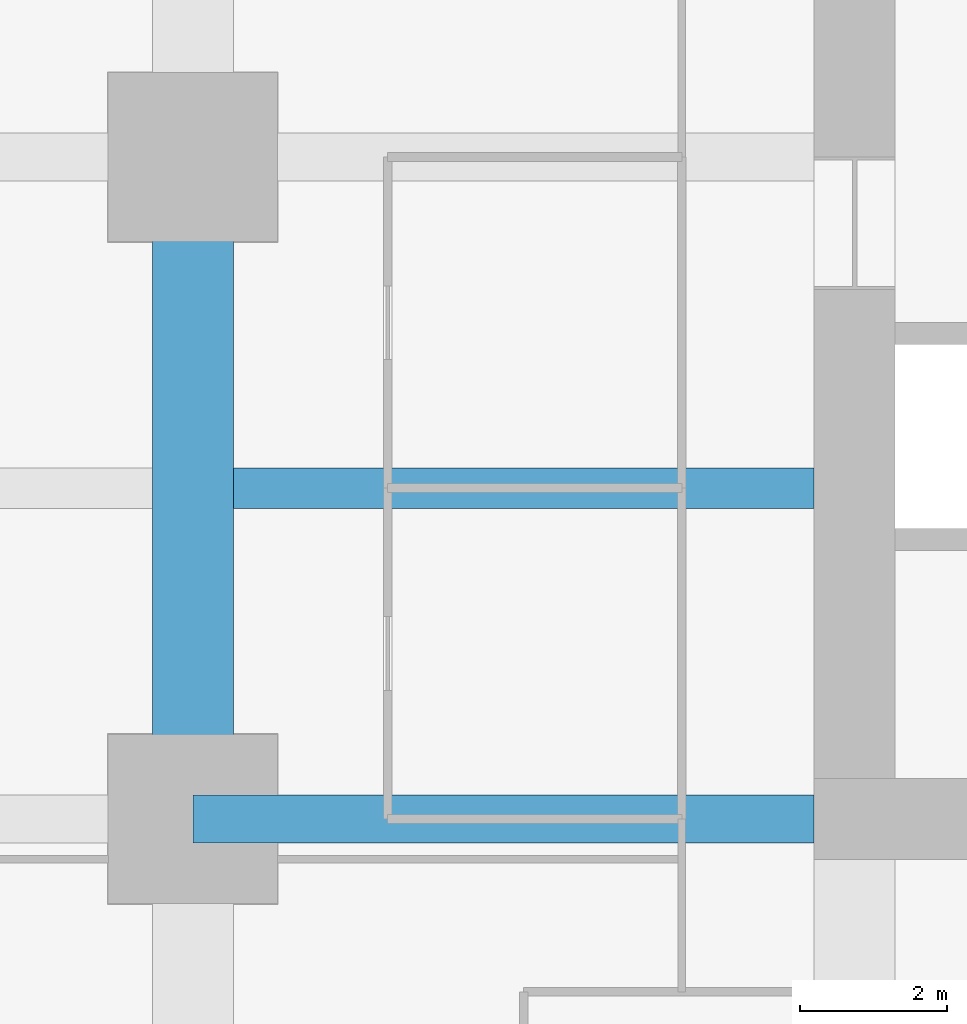
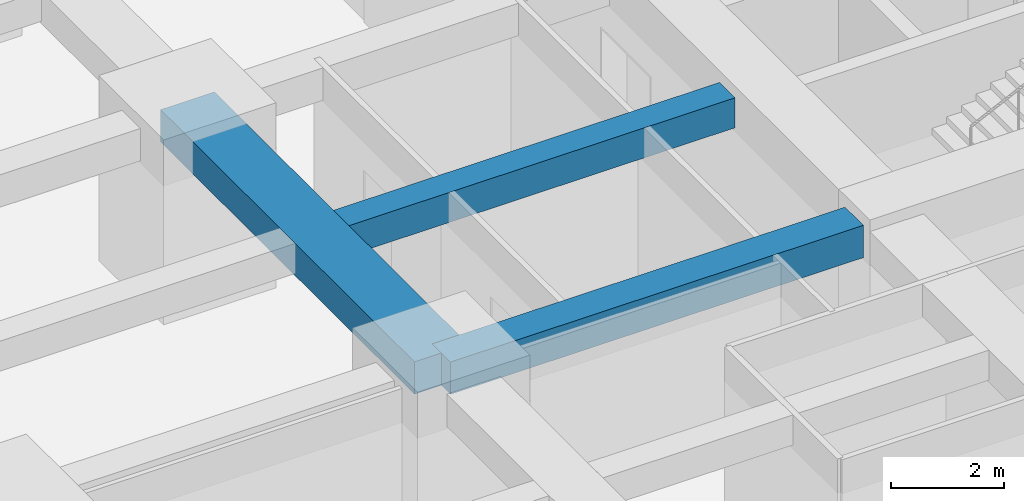
# One storey, part 10 of 45: 3 beams.
"""IFC4 building model written with IfcOpenShell, lengths in metres."""

from ifc_helpers import new_model, si_unit, direction, frame, origin, origin_2d, place, context, subcontext, project, spatial, rectangle, extrude, material, material_profile, profile_set, type_object, element, save


model = new_model("IFC4")

# Units and contexts
model_context = context("Model", 3, precision=1e-05, world=origin(), true_north=direction((0.0, 1.0)))
body_context = subcontext(model_context, "Body", "Model", "MODEL_VIEW")
ifc_project = project(units=[si_unit("LENGTHUNIT", "METRE"), si_unit("AREAUNIT", "SQUARE_METRE"), si_unit("VOLUMEUNIT", "CUBIC_METRE"), si_unit("PLANEANGLEUNIT", "RADIAN"), si_unit("MASSUNIT", "GRAM", prefix="KILO")], contexts=[model_context])

# Site, building, storey
site_placement = place(None, origin())
site = spatial("IfcSite", under=ifc_project, at=site_placement, CompositionType="ELEMENT")
building_placement = place(site_placement, origin())
building = spatial("IfcBuilding", under=site, at=building_placement, Name="Zorevar Civic Tower", CompositionType="ELEMENT")
storey_placement = place(building_placement, frame((0.0, 0.0, 23.800048828125)))
storey = spatial("IfcBuildingStorey", under=building, at=storey_placement, Name="L05", CompositionType="ELEMENT", Elevation=23.800048828125)

# Beams
ifc_material_1 = material(Name="Concrete C50/60", Category="concrete")
ifc_material_profile_1 = material_profile(ifc_material_1, rectangle(XDim=1.10009765625, YDim=0.699951171875, at=origin_2d()), Name="RC 1100x700")
ifc_profile_set_1 = profile_set([ifc_material_profile_1], Name="Concrete C50/60")
beam_type_1 = type_object("IfcBeamType", Name="Beam RC 1100x700", PredefinedType="BEAM", material=ifc_profile_set_1)
beam_1_placement = place(storey_placement, frame((9.0, 18.0, 3.39990234375), z_axis=(0.0, 1.0, 0.0), x_axis=(-1.0, 0.0, 0.0)))
element("IfcBeam", 1, at=beam_1_placement, inside=storey, type_object=beam_type_1, Name="Girder L06", PredefinedType="BEAM", context=body_context, shape_type="SweptSolid", body=[
    extrude(rectangle(XDim=1.10009765625, YDim=0.699951171875, at=origin_2d()), origin(), (0.0, 0.0, 1.0), 9.0),
])
ifc_material_2 = material(Name="Concrete C50/60", Category="concrete")
ifc_material_profile_2 = material_profile(ifc_material_2, rectangle(XDim=0.550048828125, YDim=0.64990234375, at=origin_2d()), Name="RC 550x650")
ifc_profile_set_2 = profile_set([ifc_material_profile_2], Name="Concrete C50/60")
beam_type_2 = type_object("IfcBeamType", Name="Beam RC 550x650", PredefinedType="BEAM", material=ifc_profile_set_2)
beam_2_placement = place(storey_placement, frame((9.550048828125, 22.5, 3.425048828125), z_axis=(1.0, 0.0, 0.0), x_axis=(0.0, 1.0, 0.0)))
element("IfcBeam", 2, at=beam_2_placement, inside=storey, type_object=beam_type_2, Name="Secondary beam L06", PredefinedType="BEAM", context=body_context, shape_type="SweptSolid", body=[
    extrude(rectangle(XDim=0.550048828125, YDim=0.64990234375, at=origin_2d()), origin(), (0.0, 0.0, 1.0), 7.89990234375),
])
ifc_material_3 = material(Name="Concrete C50/60", Category="concrete")
ifc_material_profile_3 = material_profile(ifc_material_3, rectangle(XDim=0.64990234375, YDim=0.699951171875, at=origin_2d()), Name="RC 650x700")
ifc_profile_set_3 = profile_set([ifc_material_profile_3], Name="Concrete C50/60")
beam_type_3 = type_object("IfcBeamType", Name="Beam RC 650x700", PredefinedType="BEAM", material=ifc_profile_set_3)
beam_3_placement = place(storey_placement, frame((9.0, 18.0, 3.39990234375), z_axis=(1.0, 0.0, 0.0), x_axis=(0.0, 1.0, 0.0)))
element("IfcBeam", 3, at=beam_3_placement, inside=storey, type_object=beam_type_3, Name="Girder L06", PredefinedType="BEAM", context=body_context, shape_type="SweptSolid", body=[
    extrude(rectangle(XDim=0.64990234375, YDim=0.699951171875, at=origin_2d()), origin(), (0.0, 0.0, 1.0), 8.449951171875),
])

save(model, "model.ifc")
